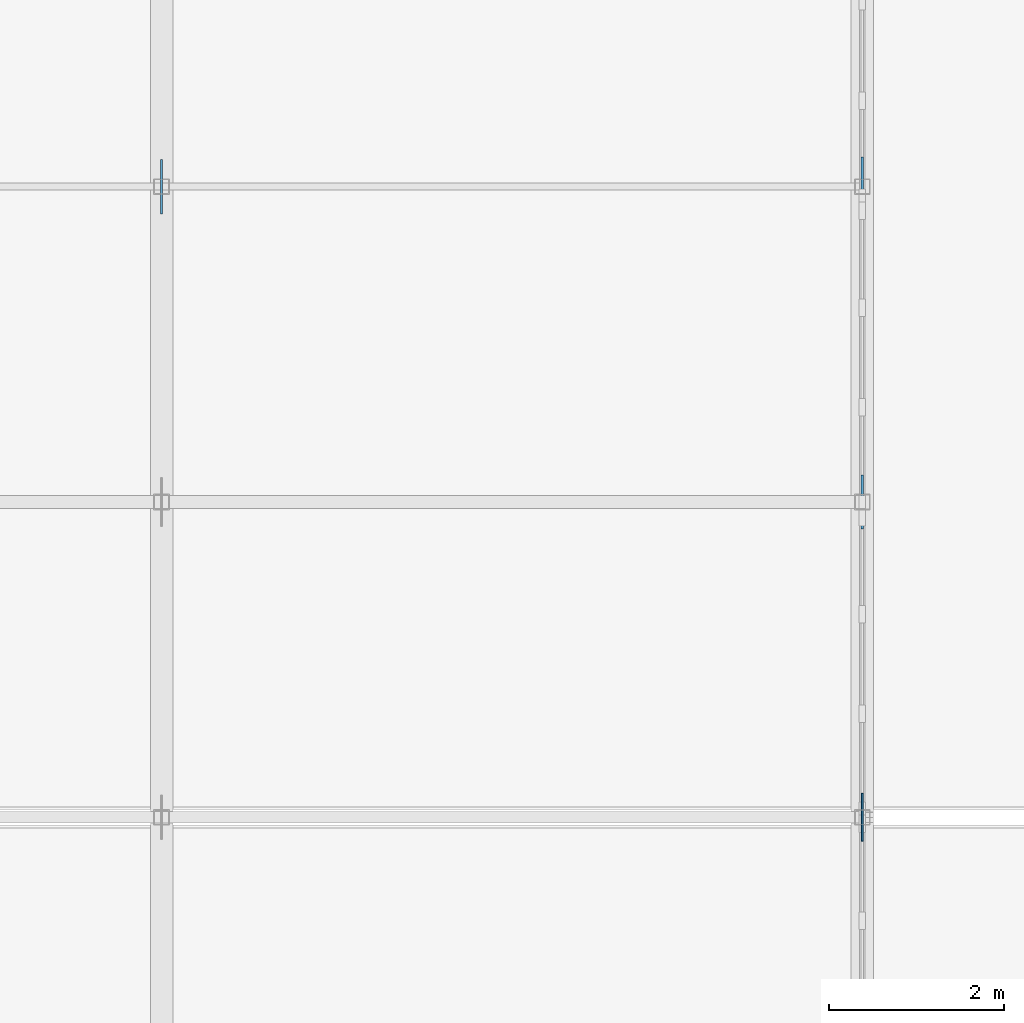
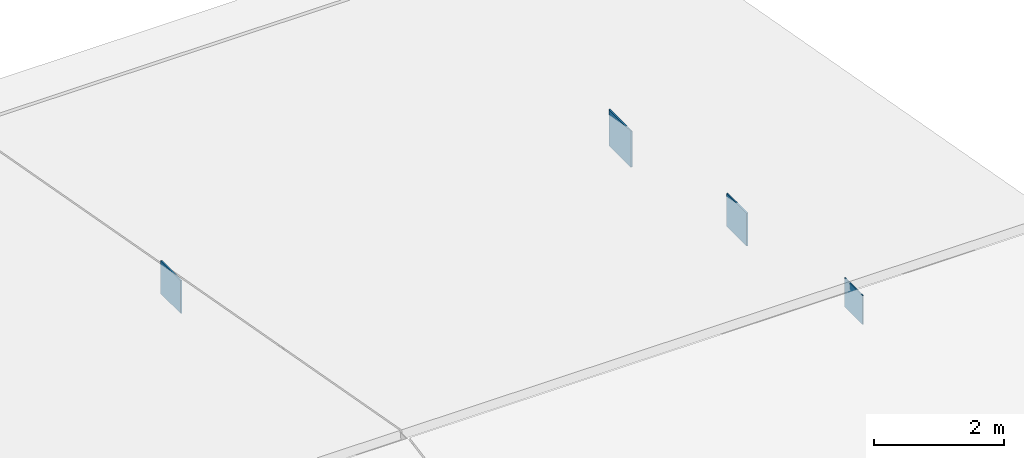
# One storey, part 83 of 105: 4 plates.
"""IFC4 building model written with IfcOpenShell, lengths in metres."""

import ifcopenshell
import ifcopenshell.guid

model = None  # the IFC model being written
_history = None  # IfcOwnerHistory: only IFC2X3 demands one
_inside = {}  # id of a spatial element -> (the spatial element, [elements in it])
_under = {}  # id of a project, library or spatial element -> (it, [spatial elements below it])
_declared = {}  # id of a project -> (the project, [libraries it declares])
_typed = {}  # id of a type object -> (the type object, [elements of that type])
_made_of = {}  # id of a material, layer set ... -> (it, [elements and type objects made of it])


def new_model(schema):
    """Start an empty IFC model of exactly this schema.

    Asked for "IFC4X3", IfcOpenShell would pick the latest addendum, in which some entities
    have other attributes; the version numbers below select the first issue.
    IFC2X3 requires an IfcOwnerHistory on every rooted entity: one is made here for all.
    """
    global model, _history
    if schema == "IFC4X3":
        model = ifcopenshell.file(schema_version=(4, 3, 0, 0))
    else:
        model = ifcopenshell.file(schema=schema)
    _inside.clear()
    _under.clear()
    _declared.clear()
    _typed.clear()
    _made_of.clear()
    _history = None
    if model.schema == "IFC2X3":
        org = make("IfcOrganization", Name="unknown")
        user = make(
            "IfcPersonAndOrganization",
            ThePerson=make("IfcPerson", FamilyName="unknown"),
            TheOrganization=org,
        )
        app = make(
            "IfcApplication",
            ApplicationDeveloper=org,
            Version="unknown",
            ApplicationFullName="unknown",
            ApplicationIdentifier="unknown",
        )
        _history = make(
            "IfcOwnerHistory",
            OwningUser=user,
            OwningApplication=app,
            ChangeAction="ADDED",
            CreationDate=0,
        )
    return model


def make(cls, **values):
    """One entity of the class cls with the attributes given. An attribute that is None is left unset."""
    return model.create_entity(
        cls, **{name: value for name, value in values.items() if value is not None}
    )


def rooted(cls, **values):
    """An entity with a GlobalId (a new one), such as an element, a storey or a relation."""
    return make(cls, GlobalId=ifcopenshell.guid.new(), OwnerHistory=_history, **values)


def si_unit(unit_type, name, prefix=None):
    """IfcSIUnit, for example si_unit("LENGTHUNIT", "METRE", prefix="MILLI")."""
    return make("IfcSIUnit", UnitType=unit_type, Prefix=prefix, Name=name)


def assignment(units):
    """IfcUnitAssignment: the units of a project."""
    return None if units is None else make("IfcUnitAssignment", Units=units)


def point(xyz):
    """IfcCartesianPoint."""
    return None if xyz is None else make("IfcCartesianPoint", Coordinates=xyz)


def direction(xyz):
    """IfcDirection."""
    return None if xyz is None else make("IfcDirection", DirectionRatios=xyz)


def frame(location, z_axis=None, x_axis=None):
    """IfcAxis2Placement3D, a coordinate frame: its origin and axes. An axis left out is left unset."""
    return make(
        "IfcAxis2Placement3D",
        Location=point(location),
        Axis=direction(z_axis),
        RefDirection=direction(x_axis),
    )


def frame_2d(location, x_axis=None):
    """IfcAxis2Placement2D, a coordinate frame in the plane: its origin and x axis."""
    return make(
        "IfcAxis2Placement2D", Location=point(location), RefDirection=direction(x_axis)
    )


def origin():
    """The frame at (0, 0, 0) with its axes left unset."""
    return frame((0.0, 0.0, 0.0))


def origin_2d():
    """The frame at (0, 0) in the plane with its x axis left unset."""
    return frame_2d((0.0, 0.0))


def place(relative_to, where):
    """IfcLocalPlacement: puts the frame where relative to a parent placement (None: the world)."""
    return make(
        "IfcLocalPlacement", PlacementRelTo=relative_to, RelativePlacement=where
    )


def context(
    kind, dimensions, precision=None, world=None, true_north=None, identifier=None
):
    """IfcGeometricRepresentationContext, for example the 3D "Model" context."""
    return make(
        "IfcGeometricRepresentationContext",
        ContextIdentifier=identifier,
        ContextType=kind,
        CoordinateSpaceDimension=dimensions,
        Precision=precision,
        WorldCoordinateSystem=world,
        TrueNorth=true_north,
    )


def subcontext(parent, identifier, kind, view, scale=None):
    """IfcGeometricRepresentationSubContext, for example "Body" below "Model"."""
    return make(
        "IfcGeometricRepresentationSubContext",
        ContextIdentifier=identifier,
        ContextType=kind,
        ParentContext=parent,
        TargetScale=scale,
        TargetView=view,
    )


def project(units=None, contexts=None):
    """IfcProject with its units and contexts."""
    return rooted(
        "IfcProject",
        Name="project",
        RepresentationContexts=contexts,
        UnitsInContext=assignment(units),
    )


def spatial(cls, under=None, at=None, **own):
    """A site, building, storey or space (cls), placed at a placement, below another one or the project."""
    s = rooted(cls, ObjectPlacement=at, **own)
    if under is not None:
        _under.setdefault(under.id(), (under, []))[1].append(s)
    return s


def profile(cls, at=None, kind="AREA", **sizes):
    """A parametric profile (cls). Its sizes go by their IFC names, for example OverallWidth=200.0."""
    return make(cls, ProfileType=kind, Position=at, **sizes)


def rectangle(**sizes):
    """IfcRectangleProfileDef."""
    return profile("IfcRectangleProfileDef", **sizes)


def extrude(swept, where, along, depth):
    """IfcExtrudedAreaSolid: the profile swept, set in the frame where, extruded along a direction by depth."""
    return make(
        "IfcExtrudedAreaSolid",
        SweptArea=swept,
        Position=where,
        ExtrudedDirection=direction(along),
        Depth=depth,
    )


def shape(context_of_items, identifier, shape_type, items):
    """IfcShapeRepresentation: the items that make up one representation, for example the "Body"."""
    return make(
        "IfcShapeRepresentation",
        ContextOfItems=context_of_items,
        RepresentationIdentifier=identifier,
        RepresentationType=shape_type,
        Items=items,
    )


def material(Name=None, Category=None):
    """IfcMaterial."""
    return make("IfcMaterial", Name=Name, Category=Category)


def layer(
    of_material, thickness, ventilated=None, Name=None, Category=None, Priority=None
):
    """IfcMaterialLayer: one layer of a wall or slab, of a material (None: an air gap)."""
    return make(
        "IfcMaterialLayer",
        Material=of_material,
        LayerThickness=thickness,
        IsVentilated=ventilated,
        Name=Name,
        Category=Category,
        Priority=Priority,
    )


def layer_set(layers, Name=None):
    """IfcMaterialLayerSet."""
    return make("IfcMaterialLayerSet", MaterialLayers=layers, LayerSetName=Name)


def made_of(thing, what):
    """Note that an element or type object is made of a material, layer set ...; save() writes the relation."""
    if what is not None:
        _made_of.setdefault(what.id(), (what, []))[1].append(thing)
    return thing


def type_object(cls, material=None, **own):
    """A type object (cls), such as IfcWallType, which elements share."""
    return made_of(rooted(cls, **own), material)


def element(
    cls,
    number,
    at=None,
    inside=None,
    cuts=None,
    type_object=None,
    material=None,
    context=None,
    identifier="Body",
    shape_type=None,
    held_by="IfcProductDefinitionShape",
    body=None,
    shapes=None,
    **own,
):
    """One element of the class cls, such as IfcWall. Its Tag is "e" and its number.

    at: its placement. inside: the storey or other place that contains it. cuts: it is an
    opening in that element (IfcRelVoidsElement). A single representation is given by context,
    identifier, shape_type and body (its items); several are given by shapes. held_by: the class
    of the entity that holds the representations. save() writes the other relations.
    """
    e = rooted(cls, Tag="e%d" % number, ObjectPlacement=at, **own)
    if body is not None:
        shapes = [shape(context, identifier, shape_type, body)]
    if shapes is not None:
        e.Representation = make(held_by, Representations=shapes)
    if inside is not None:
        _inside.setdefault(inside.id(), (inside, []))[1].append(e)
    if cuts is not None:
        rooted(
            "IfcRelVoidsElement", RelatingBuildingElement=cuts, RelatedOpeningElement=e
        )
    if type_object is not None:
        _typed.setdefault(type_object.id(), (type_object, []))[1].append(e)
    return made_of(e, material)


def aggregate(whole, parts):
    """IfcRelAggregates: a whole, such as a stair, and the parts it consists of."""
    return rooted("IfcRelAggregates", RelatingObject=whole, RelatedObjects=parts)


def save(model, path):
    """Write the relations noted so far, then the file.

    IfcRelAggregates (storeys below a building ...), IfcRelContainedInSpatialStructure (elements
    in a storey), IfcRelDefinesByType, IfcRelAssociatesMaterial and IfcRelDeclares: one each for
    every whole, place, type object, material and project.
    """
    for whole, parts in _under.values():
        aggregate(whole, parts)
    for where, things in _inside.values():
        rooted(
            "IfcRelContainedInSpatialStructure",
            RelatedElements=things,
            RelatingStructure=where,
        )
    for kind, things in _typed.values():
        rooted("IfcRelDefinesByType", RelatedObjects=things, RelatingType=kind)
    for what, things in _made_of.values():
        rooted("IfcRelAssociatesMaterial", RelatedObjects=things, RelatingMaterial=what)
    for by, libraries in _declared.values():
        rooted("IfcRelDeclares", RelatingContext=by, RelatedDefinitions=libraries)
    model.write(path)


model = new_model("IFC4")

# Units and contexts
model_context = context("Model", 3, precision=1e-05, world=origin(), true_north=direction((0.0, 1.0)))
body_context = subcontext(model_context, "Body", "Model", "MODEL_VIEW")
ifc_project = project(units=[si_unit("LENGTHUNIT", "METRE"), si_unit("AREAUNIT", "SQUARE_METRE"), si_unit("VOLUMEUNIT", "CUBIC_METRE"), si_unit("PLANEANGLEUNIT", "RADIAN"), si_unit("MASSUNIT", "GRAM", prefix="KILO")], contexts=[model_context])

# Site, building, storey
site_placement = place(None, origin())
site = spatial("IfcSite", under=ifc_project, at=site_placement, CompositionType="ELEMENT")
building_placement = place(site_placement, origin())
building = spatial("IfcBuilding", under=site, at=building_placement, Name="Corveleigh Park Community Centre", CompositionType="ELEMENT")
storey_placement = place(building_placement, frame((0.0, 0.0, 8.699951171875)))
storey = spatial("IfcBuildingStorey", under=building, at=storey_placement, Name="L02", CompositionType="ELEMENT", Elevation=8.699951171875)

# Plates
ifc_material = material(Name="Steel S355", Category="steel")
ifc_layer_1 = layer(ifc_material, 0.02001953125, Name="Steel S355", Category="steel")
ifc_layer_set_1 = layer_set([ifc_layer_1], Name="Steel S355")
plate_type_1 = type_object("IfcPlateType", Name="PLT-GUS-20", PredefinedType="SHEET", material=ifc_layer_set_1)
plate_1_placement = place(storey_placement, frame((54.39990234375, 103.60009765625, 2.52490234375), z_axis=(0.0, 0.0, 1.0), x_axis=(0.0, 1.0, 0.0)))
element("IfcPlate", 1, at=plate_1_placement, inside=storey, type_object=plate_type_1, Name="V2 Truss 7 Gusset", PredefinedType="SHEET", context=body_context, shape_type="SweptSolid", body=[
    extrude(rectangle(XDim=0.550048828125, YDim=0.02001953125, at=origin_2d()), origin(), (0.0, 0.0, 1.0), 0.550048828125),
])
ifc_layer_2 = layer(ifc_material, 0.02392578125, Name="Steel S355", Category="steel")
ifc_layer_set_2 = layer_set([ifc_layer_2], Name="Steel S355")
plate_type_2 = type_object("IfcPlateType", Name="PLT-GUS-24", PredefinedType="SHEET", material=ifc_layer_set_2)
for number, where, z_axis, x_axis, name in (
    (2, (46.39990234375, 110.800048828125, 1.18994140625), (0.0, 0.0, 1.0), (0.0, 1.0, 0.0), "V2 Truss 6 Gusset"),
    (3, (54.39990234375, 107.199951171875, 1.840087890625), (0.0, 0.0, 1.0), (0.0, 1.0, 0.0), "V2 Truss 7 Gusset"),
):
    element("IfcPlate", number, at=place(storey_placement, frame(where, z_axis=z_axis, x_axis=x_axis)), inside=storey, type_object=plate_type_2, Name=name, PredefinedType="SHEET", context=body_context, shape_type="SweptSolid", body=[
        extrude(rectangle(XDim=0.6201171875, YDim=0.02392578125, at=origin_2d()), origin(), (0.0, 0.0, 1.0), 0.6201171875),
    ])
ifc_layer_3 = layer(ifc_material, 0.02587890625, Name="Steel S355", Category="steel")
ifc_layer_set_3 = layer_set([ifc_layer_3], Name="Steel S355")
plate_type_3 = type_object("IfcPlateType", Name="PLT-GUS-26", PredefinedType="SHEET", material=ifc_layer_set_3)
plate_2_placement = place(storey_placement, frame((54.39990234375, 110.800048828125, 1.16015625), z_axis=(0.0, 0.0, 1.0), x_axis=(0.0, 1.0, 0.0)))
element("IfcPlate", 4, at=plate_2_placement, inside=storey, type_object=plate_type_3, Name="V2 Truss 7 Gusset", PredefinedType="SHEET", context=body_context, shape_type="SweptSolid", body=[
    extrude(rectangle(XDim=0.679931640625, YDim=0.02587890625, at=origin_2d()), origin(), (0.0, 0.0, 1.0), 0.679931640625),
])

save(model, "model.ifc")
